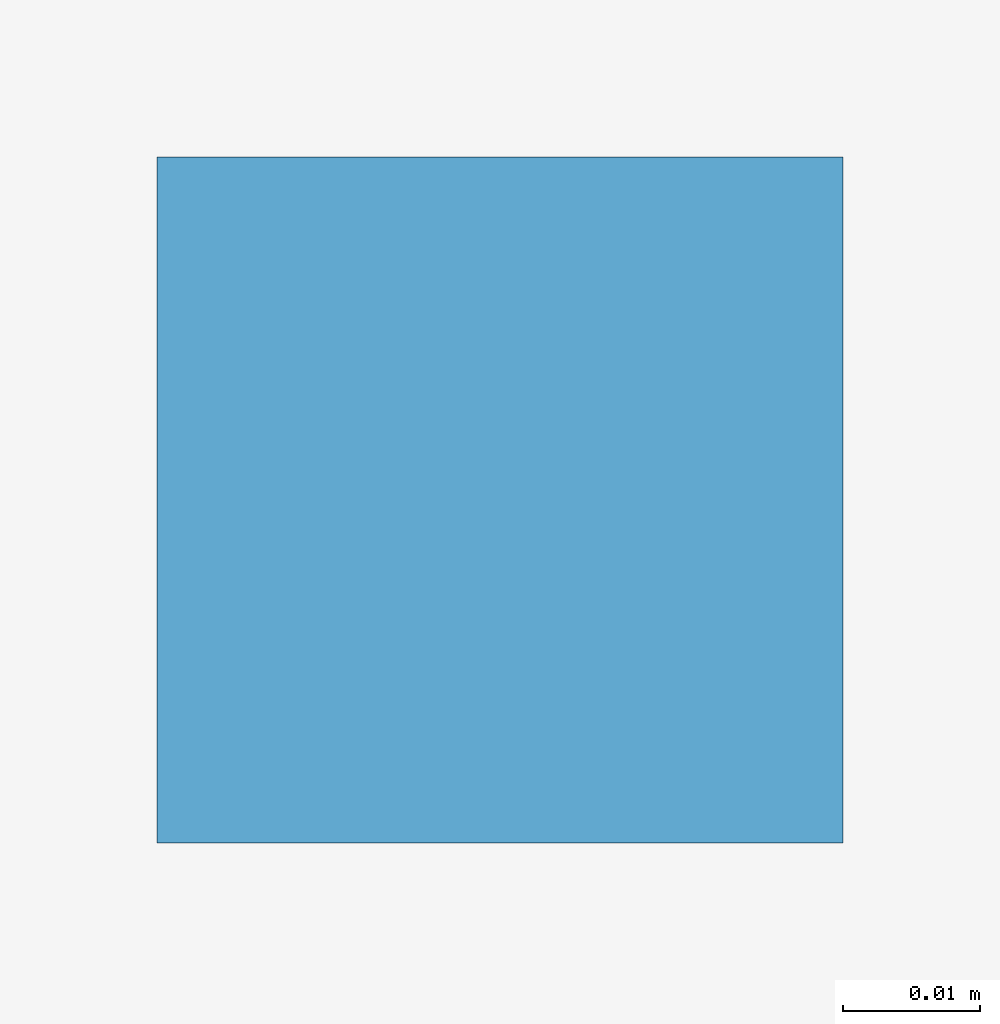
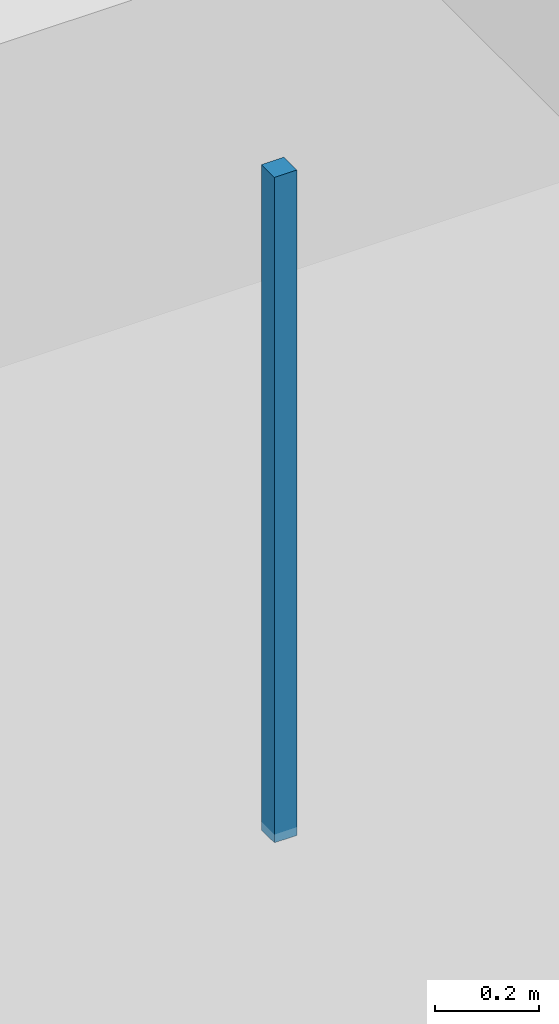
# One storey, part 41 of 56: 1 discrete accessory.
"""IFC4 building model written with IfcOpenShell, lengths in metres."""

from ifc_helpers import new_model, si_unit, direction, frame, origin, origin_2d, place, context, subcontext, project, spatial, rectangle, extrude, material, type_object, element, save


model = new_model("IFC4")

# Units and contexts
model_context = context("Model", 3, precision=1e-05, world=origin(), true_north=direction((0.0, 1.0)))
body_context = subcontext(model_context, "Body", "Model", "MODEL_VIEW")
ifc_project = project(units=[si_unit("LENGTHUNIT", "METRE"), si_unit("AREAUNIT", "SQUARE_METRE"), si_unit("VOLUMEUNIT", "CUBIC_METRE"), si_unit("PLANEANGLEUNIT", "RADIAN"), si_unit("MASSUNIT", "GRAM", prefix="KILO")], contexts=[model_context])

# Site, building, storey
site_placement = place(None, origin())
site = spatial("IfcSite", under=ifc_project, at=site_placement, CompositionType="ELEMENT")
building_placement = place(site_placement, origin())
building = spatial("IfcBuilding", under=site, at=building_placement, Name="Kazehaya Institute of Natural Sciences", CompositionType="ELEMENT")
storey_placement = place(building_placement, origin())
storey = spatial("IfcBuildingStorey", under=building, at=storey_placement, Name="L00", CompositionType="ELEMENT", Elevation=0.0)

# Discrete accessory
ifc_material = material(Name="Structural steel SN490B", Category="steel")
discrete_accessory_type = type_object("IfcDiscreteAccessoryType", Name="ACC-CLG-HGR", PredefinedType="BRACKET", material=ifc_material)
discrete_accessory_placement = place(storey_placement, frame((96.300048828125, 88.675048828125, 3.75244140625), z_axis=(0.0, 0.0, 1.0), x_axis=(1.0, 0.0, 0.0)))
element("IfcDiscreteAccessory", 1, at=discrete_accessory_placement, inside=storey, type_object=discrete_accessory_type, Name="L00 ceiling suspension hanger 14", PredefinedType="BRACKET", context=body_context, shape_type="SweptSolid", body=[
    extrude(rectangle(XDim=0.050048828125, YDim=0.050048828125, at=origin_2d()), origin(), (0.0, 0.0, 1.0), 1.5673828125),
])

save(model, "model.ifc")
